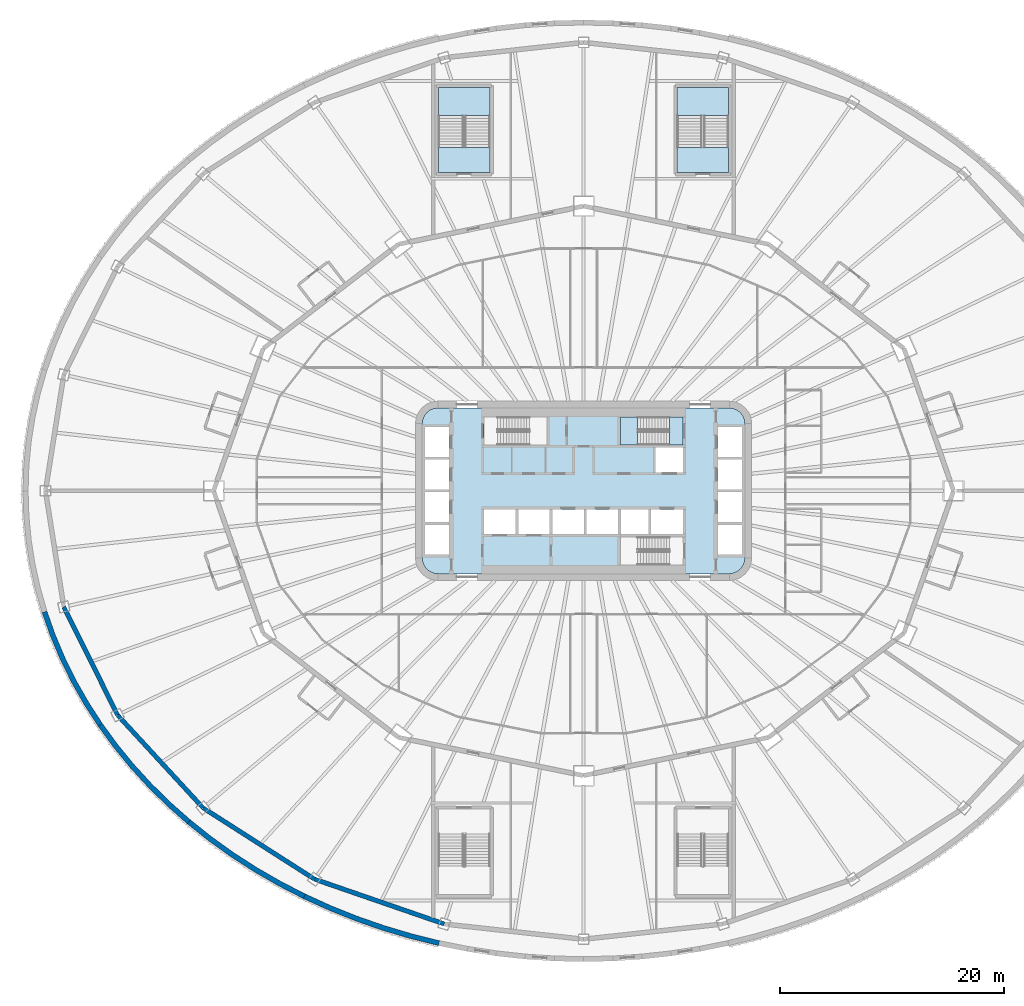
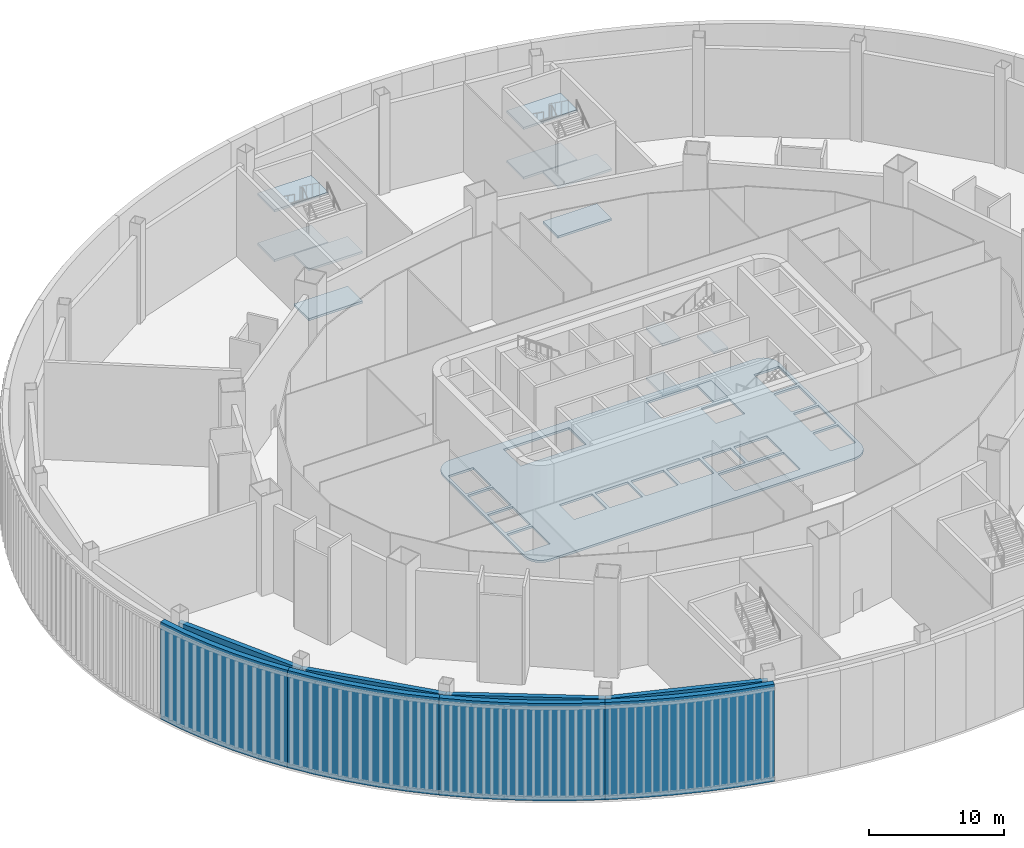
# One storey, part 5 of 35: 13 slabs, 8 walls, 3 elements without a shape of their own.
"""IFC4 building model written with IfcOpenShell, lengths in metres."""

from ifc_helpers import new_model, si_unit, direction, frame, frame_2d, origin, place, context, subcontext, project, spatial, polyline, rectangle, outline, extrude, material, layer, layer_set, type_object, element, aggregate, save


model = new_model("IFC4")

# Units and contexts
model_context = context("Model", 3, precision=1e-05, world=origin(), true_north=direction((0.0, 1.0)))
body_context = subcontext(model_context, "Body", "Model", "MODEL_VIEW")
ifc_project = project(units=[si_unit("LENGTHUNIT", "METRE"), si_unit("AREAUNIT", "SQUARE_METRE"), si_unit("VOLUMEUNIT", "CUBIC_METRE"), si_unit("PLANEANGLEUNIT", "RADIAN"), si_unit("MASSUNIT", "GRAM", prefix="KILO")], contexts=[model_context])

# Site, building, storey
site_placement = place(None, origin())
site = spatial("IfcSite", under=ifc_project, at=site_placement, CompositionType="ELEMENT")
building_placement = place(site_placement, origin())
building = spatial("IfcBuilding", under=site, at=building_placement, Name="Sahrelin Media Tower", CompositionType="ELEMENT")
storey_placement = place(building_placement, frame((0.0, 0.0, 17.0)))
storey = spatial("IfcBuildingStorey", under=building, at=storey_placement, Name="L02", CompositionType="ELEMENT", Elevation=17.0)

# Slab
ifc_material_1 = material(Name="Concrete C40/50", Category="concrete")
ifc_layer_1 = layer(ifc_material_1, 0.199951171875)
ifc_layer_set_1 = layer_set([ifc_layer_1], Name="Core floor slab 200")
slab_type_1 = type_object("IfcSlabType", Name="Core floor slab 200", PredefinedType="FLOOR", material=ifc_layer_set_1)
placement_1 = place(storey_placement, frame((0.0, 0.0, -0.199951171875)))
element("IfcSlab", 1, at=placement_1, inside=storey, type_object=slab_type_1, Name="Core floor", PredefinedType="FLOOR", context=body_context, shape_type="SweptSolid", body=[
    extrude(outline(polyline([(-13.986328125, 6.986328125), (-14.2080078125, 6.697509765625), (-14.347412109375, 6.361083984375), (-14.39990234375, 5.960693359375), (-14.39990234375, -5.960693359375), (-14.347412109375, -6.361083984375), (-14.2080078125, -6.697509765625), (-13.986328125, -6.986328125), (-13.697509765625, -7.2080078125), (-13.361083984375, -7.347412109375), (-12.960693359375, -7.39990234375), (12.960693359375, -7.39990234375), (13.361083984375, -7.347412109375), (13.697509765625, -7.2080078125), (13.986328125, -6.986328125), (14.2080078125, -6.697509765625), (14.347412109375, -6.361083984375), (14.39990234375, -5.960693359375), (14.39990234375, 5.960693359375), (14.347412109375, 6.361083984375), (14.2080078125, 6.697509765625), (13.986328125, 6.986328125), (13.697509765625, 7.2080078125), (13.361083984375, 7.347412109375), (12.960693359375, 7.39990234375), (-12.960693359375, 7.39990234375), (-13.361083984375, 7.347412109375), (-13.697509765625, 7.2080078125), (-13.986328125, 6.986328125)]), holes=[polyline([(-14.14990234375, 5.675048828125), (-14.14990234375, 3.02490234375), (-12.0, 3.02490234375), (-12.0, 5.675048828125), (-14.14990234375, 5.675048828125)]), polyline([(-12.0, 2.77490234375), (-14.14990234375, 2.77490234375), (-14.14990234375, 0.125), (-12.0, 0.125), (-12.0, 2.77490234375)]), polyline([(-12.0, -2.77490234375), (-12.0, -0.125), (-14.14990234375, -0.125), (-14.14990234375, -2.77490234375), (-12.0, -2.77490234375)]), polyline([(-14.14990234375, -5.675048828125), (-12.0, -5.675048828125), (-12.0, -3.02490234375), (-14.14990234375, -3.02490234375), (-14.14990234375, -5.675048828125)]), polyline([(12.0, 5.675048828125), (12.0, 3.02490234375), (14.14990234375, 3.02490234375), (14.14990234375, 5.675048828125), (12.0, 5.675048828125)]), polyline([(14.14990234375, 2.77490234375), (12.0, 2.77490234375), (12.0, 0.125), (14.14990234375, 0.125), (14.14990234375, 2.77490234375)]), polyline([(14.14990234375, -2.77490234375), (14.14990234375, -0.125), (12.0, -0.125), (12.0, -2.77490234375), (14.14990234375, -2.77490234375)]), polyline([(12.0, -5.675048828125), (14.14990234375, -5.675048828125), (14.14990234375, -3.02490234375), (12.0, -3.02490234375), (12.0, -5.675048828125)]), polyline([(6.425048828125, 3.85009765625), (6.425048828125, 1.64990234375), (8.875, 1.64990234375), (8.875, 3.85009765625), (6.425048828125, 3.85009765625)]), polyline([(-6.074951171875, -1.64990234375), (-8.875, -1.64990234375), (-8.875, -3.85009765625), (-6.074951171875, -3.85009765625), (-6.074951171875, -1.64990234375)]), polyline([(-3.02490234375, -3.85009765625), (-3.02490234375, -1.64990234375), (-5.824951171875, -1.64990234375), (-5.824951171875, -3.85009765625), (-3.02490234375, -3.85009765625)]), polyline([(-2.77490234375, -3.85009765625), (0.02490234375, -3.85009765625), (0.02490234375, -1.64990234375), (-2.77490234375, -1.64990234375), (-2.77490234375, -3.85009765625)]), polyline([(0.27490234375, -1.64990234375), (0.27490234375, -3.85009765625), (3.074951171875, -3.85009765625), (3.074951171875, -1.64990234375), (0.27490234375, -1.64990234375)]), polyline([(5.77490234375, -1.64990234375), (3.324951171875, -1.64990234375), (3.324951171875, -3.85009765625), (5.77490234375, -3.85009765625), (5.77490234375, -1.64990234375)]), polyline([(8.875, -3.85009765625), (8.875, -1.64990234375), (6.02490234375, -1.64990234375), (6.02490234375, -3.85009765625), (8.875, -3.85009765625)]), polyline([(-8.875, 6.60009765625), (-8.875, 4.10009765625), (-3.27490234375, 4.10009765625), (-3.27490234375, 6.60009765625), (-8.875, 6.60009765625)]), polyline([(3.27490234375, 4.10009765625), (8.875, 4.10009765625), (8.875, 6.60009765625), (3.27490234375, 6.60009765625), (3.27490234375, 4.10009765625)]), polyline([(3.27490234375, -4.10009765625), (3.27490234375, -6.60009765625), (8.875, -6.60009765625), (8.875, -4.10009765625), (3.27490234375, -4.10009765625)])]), origin(), (0.0, 0.0, 1.0), 0.199951171875),
])

# Stair, slabs
stair_type_1 = type_object("IfcStairType", Name="Exit stair 1200", PredefinedType="HALF_TURN_STAIR", material=ifc_material_1)
placement_2 = place(storey_placement, origin())
stair_1 = element("IfcStair", 2, at=placement_2, inside=storey, type_object=stair_type_1, Name="L02 Exit stair ST3", PredefinedType="HALF_TURN_STAIR")
ifc_layer_2 = layer(ifc_material_1, 0.199951171875)
ifc_layer_set_2 = layer_set([ifc_layer_2], Name="Stair landing 200")
slab_type_2 = type_object("IfcSlabType", Name="Stair landing 200", PredefinedType="LANDING", material=ifc_layer_set_2)
placement_3 = place(storey_placement, frame((0.0, 0.0, 2.050048828125)))
slab_2 = element("IfcSlab", 3, at=placement_3, type_object=slab_type_2, Name="ST3 landing 1", PredefinedType="LANDING", context=body_context, shape_type="SweptSolid", body=[
    extrude(outline(polyline([(4.81494140625, 6.60009765625), (3.27490234375, 6.60009765625), (3.27490234375, 4.10009765625), (4.81494140625, 4.10009765625), (4.81494140625, 6.60009765625)])), origin(), (0.0, 0.0, 1.0), 0.199951171875),
])
placement_4 = place(storey_placement, frame((0.0, 0.0, 4.300048828125)))
slab_3 = element("IfcSlab", 4, at=placement_4, type_object=slab_type_2, Name="ST3 landing 2", PredefinedType="LANDING", context=body_context, shape_type="SweptSolid", body=[
    extrude(outline(polyline([(8.875, 6.60009765625), (7.675048828125, 6.60009765625), (7.675048828125, 4.10009765625), (8.875, 4.10009765625), (8.875, 6.60009765625)])), origin(), (0.0, 0.0, 1.0), 0.199951171875),
])
placement_5 = place(storey_placement, frame((0.0, 0.0, 6.550048828125)))
slab_4 = element("IfcSlab", 5, at=placement_5, type_object=slab_type_2, Name="ST3 landing 3", PredefinedType="LANDING", context=body_context, shape_type="SweptSolid", body=[
    extrude(outline(polyline([(4.81494140625, 6.60009765625), (3.27490234375, 6.60009765625), (3.27490234375, 4.10009765625), (4.81494140625, 4.10009765625), (4.81494140625, 6.60009765625)])), origin(), (0.0, 0.0, 1.0), 0.199951171875),
])
slab_5 = element("IfcSlab", 6, at=placement_1, type_object=slab_type_2, Name="ST3 landing 4", PredefinedType="LANDING", context=body_context, shape_type="SweptSolid", body=[
    extrude(outline(polyline([(8.875, 6.60009765625), (7.675048828125, 6.60009765625), (7.675048828125, 4.10009765625), (8.875, 4.10009765625), (8.875, 6.60009765625)])), origin(), (0.0, 0.0, 1.0), 0.199951171875),
])
aggregate(stair_1, [slab_2, slab_3, slab_4, slab_5])

stair_type_2 = type_object("IfcStairType", Name="Podium stair 2225", PredefinedType="HALF_TURN_STAIR", material=ifc_material_1)
stair_2 = element("IfcStair", 7, at=placement_2, inside=storey, type_object=stair_type_2, Name="L02 Podium stair PS1", PredefinedType="HALF_TURN_STAIR")
slab_6 = element("IfcSlab", 8, at=placement_3, type_object=slab_type_2, Name="PS1 landing 1", PredefinedType="LANDING", context=body_context, shape_type="SweptSolid", body=[
    extrude(outline(polyline([(12.949951171875, 33.485107421875), (12.949951171875, 36.0), (8.35009765625, 36.0), (8.35009765625, 33.485107421875), (12.949951171875, 33.485107421875)])), origin(), (0.0, 0.0, 1.0), 0.199951171875),
])
slab_7 = element("IfcSlab", 9, at=placement_4, type_object=slab_type_2, Name="PS1 landing 2", PredefinedType="LANDING", context=body_context, shape_type="SweptSolid", body=[
    extrude(outline(polyline([(12.949951171875, 28.39990234375), (12.949951171875, 30.625), (8.35009765625, 30.625), (8.35009765625, 28.39990234375), (12.949951171875, 28.39990234375)])), origin(), (0.0, 0.0, 1.0), 0.199951171875),
])
slab_8 = element("IfcSlab", 10, at=placement_5, type_object=slab_type_2, Name="PS1 landing 3", PredefinedType="LANDING", context=body_context, shape_type="SweptSolid", body=[
    extrude(outline(polyline([(12.949951171875, 33.485107421875), (12.949951171875, 36.0), (8.35009765625, 36.0), (8.35009765625, 33.485107421875), (12.949951171875, 33.485107421875)])), origin(), (0.0, 0.0, 1.0), 0.199951171875),
])
slab_9 = element("IfcSlab", 11, at=placement_1, type_object=slab_type_2, Name="PS1 landing 4", PredefinedType="LANDING", context=body_context, shape_type="SweptSolid", body=[
    extrude(outline(polyline([(12.949951171875, 28.39990234375), (12.949951171875, 30.625), (8.35009765625, 30.625), (8.35009765625, 28.39990234375), (12.949951171875, 28.39990234375)])), origin(), (0.0, 0.0, 1.0), 0.199951171875),
])
aggregate(stair_2, [slab_6, slab_7, slab_8, slab_9])

stair_3 = element("IfcStair", 12, at=placement_2, inside=storey, type_object=stair_type_2, Name="L02 Podium stair PS2", PredefinedType="HALF_TURN_STAIR")
slab_10 = element("IfcSlab", 13, at=placement_3, type_object=slab_type_2, Name="PS2 landing 1", PredefinedType="LANDING", context=body_context, shape_type="SweptSolid", body=[
    extrude(outline(polyline([(-8.35009765625, 33.485107421875), (-8.35009765625, 36.0), (-12.949951171875, 36.0), (-12.949951171875, 33.485107421875), (-8.35009765625, 33.485107421875)])), origin(), (0.0, 0.0, 1.0), 0.199951171875),
])
slab_11 = element("IfcSlab", 14, at=placement_4, type_object=slab_type_2, Name="PS2 landing 2", PredefinedType="LANDING", context=body_context, shape_type="SweptSolid", body=[
    extrude(outline(polyline([(-8.35009765625, 28.39990234375), (-8.35009765625, 30.625), (-12.949951171875, 30.625), (-12.949951171875, 28.39990234375), (-8.35009765625, 28.39990234375)])), origin(), (0.0, 0.0, 1.0), 0.199951171875),
])
slab_12 = element("IfcSlab", 15, at=placement_5, type_object=slab_type_2, Name="PS2 landing 3", PredefinedType="LANDING", context=body_context, shape_type="SweptSolid", body=[
    extrude(outline(polyline([(-8.35009765625, 33.485107421875), (-8.35009765625, 36.0), (-12.949951171875, 36.0), (-12.949951171875, 33.485107421875), (-8.35009765625, 33.485107421875)])), origin(), (0.0, 0.0, 1.0), 0.199951171875),
])
slab_13 = element("IfcSlab", 16, at=placement_1, type_object=slab_type_2, Name="PS2 landing 4", PredefinedType="LANDING", context=body_context, shape_type="SweptSolid", body=[
    extrude(outline(polyline([(-8.35009765625, 28.39990234375), (-8.35009765625, 30.625), (-12.949951171875, 30.625), (-12.949951171875, 28.39990234375), (-8.35009765625, 28.39990234375)])), origin(), (0.0, 0.0, 1.0), 0.199951171875),
])
aggregate(stair_3, [slab_10, slab_11, slab_12, slab_13])

# Walls
ifc_material_2 = material(Name="Fire-rated gypsum board partition")
ifc_layer_3 = layer(ifc_material_2, 0.39990234375)
ifc_layer_set_3 = layer_set([ifc_layer_3], Name="Fire-rated partition 400")
wall_type_1 = type_object("IfcWallType", Name="Fire-rated partition 400", PredefinedType="PARTITIONING", material=ifc_layer_set_3)
wall_1_placement = place(storey_placement, frame((-46.364501953125, -10.352783203125, 0.0), z_axis=(0.0, 0.0, 1.0), x_axis=(0.445118441463, -0.895471704226, 0.0)))
element("IfcWall", 17, at=wall_1_placement, inside=storey, type_object=wall_type_1, Name="Wall", PredefinedType="PARTITIONING", context=body_context, shape_type="SweptSolid", body=[
    extrude(rectangle(XDim=10.7734375, YDim=0.39990234375, at=frame_2d((5.38671875, 0.0))), origin(), (0.0, 0.0, 1.0), 7.876953125),
])
wall_2_placement = place(storey_placement, frame((-41.569091796875, -20.0, 0.0), z_axis=(0.0, 0.0, 1.0), x_axis=(0.67736833065, -0.735644033914, 0.0)))
element("IfcWall", 18, at=wall_2_placement, inside=storey, type_object=wall_type_1, Name="Wall", PredefinedType="PARTITIONING", context=body_context, shape_type="SweptSolid", body=[
    extrude(rectangle(XDim=11.26123046875, YDim=0.39990234375, at=frame_2d((5.630615234375, 0.0))), origin(), (0.0, 0.0, 1.0), 7.876953125),
])
wall_3_placement = place(storey_placement, frame((-33.941162109375, -28.2841796875, 0.0), z_axis=(0.0, 0.0, 1.0), x_axis=(0.842479506869, -0.538728392147, 0.0)))
element("IfcWall", 19, at=wall_3_placement, inside=storey, type_object=wall_type_1, Name="Wall", PredefinedType="PARTITIONING", context=body_context, shape_type="SweptSolid", body=[
    extrude(rectangle(XDim=11.7998046875, YDim=0.39990234375, at=frame_2d((5.89990234375, 0.0))), origin(), (0.0, 0.0, 1.0), 7.876953125),
])
wall_4_placement = place(storey_placement, frame((-24.0, -34.64111328125, 0.0), z_axis=(0.0, 0.0, 1.0), x_axis=(0.94527485301, -0.326275117449, 0.0)))
element("IfcWall", 20, at=wall_4_placement, inside=storey, type_object=wall_type_1, Name="Wall", PredefinedType="PARTITIONING", context=body_context, shape_type="SweptSolid", body=[
    extrude(rectangle(XDim=12.246826171875, YDim=0.39990234375, at=frame_2d((6.12353515625, 0.0))), origin(), (0.0, 0.0, 1.0), 7.876953125),
])
ifc_layer_4 = layer(ifc_material_1, 0.449951171875)
ifc_layer_set_4 = layer_set([ifc_layer_4], Name="Studio facade wall")
wall_type_2 = type_object("IfcWallType", Name="Studio facade wall", PredefinedType="SOLIDWALL", material=ifc_layer_set_4)
element("IfcWall", 21, at=placement_2, inside=storey, type_object=wall_type_2, Name="Studio facade wall L02-P13", PredefinedType="SOLIDWALL", context=body_context, shape_type="SweptSolid", body=[
    extrude(outline(polyline([(-48.29638671875, -10.870361328125), (-47.552734375, -12.978759765625), (-46.678955078125, -15.051513671875), (-45.67724609375, -17.0830078125), (-44.55029296875, -19.067626953125), (-43.30126953125, -21.0), (-42.930419921875, -20.7451171875), (-44.16552734375, -18.834228515625), (-45.27978515625, -16.872314453125), (-46.269775390625, -14.864501953125), (-47.133056640625, -12.81640625), (-47.86767578125, -10.733642578125), (-48.29638671875, -10.870361328125)])), origin(), (0.0, 0.0, 1.0), 8.800048828125),
])
element("IfcWall", 22, at=placement_2, inside=storey, type_object=wall_type_2, Name="Studio facade wall L02-P14", PredefinedType="SOLIDWALL", context=body_context, shape_type="SweptSolid", body=[
    extrude(outline(polyline([(-43.30126953125, -21.0), (-41.93359375, -22.874755859375), (-40.45068359375, -24.68701171875), (-38.857421875, -26.431396484375), (-37.1572265625, -28.103515625), (-35.355224609375, -29.698486328125), (-35.06591796875, -29.35400390625), (-36.85009765625, -27.7744140625), (-38.533203125, -26.119140625), (-40.1103515625, -24.392578125), (-41.577392578125, -22.599609375), (-42.930419921875, -20.7451171875), (-43.30126953125, -21.0)])), origin(), (0.0, 0.0, 1.0), 8.800048828125),
])
element("IfcWall", 23, at=placement_2, inside=storey, type_object=wall_type_2, Name="Studio facade wall L02-P15", PredefinedType="SOLIDWALL", context=body_context, shape_type="SweptSolid", body=[
    extrude(outline(polyline([(-35.355224609375, -29.698486328125), (-33.45654296875, -31.212158203125), (-31.466064453125, -32.64013671875), (-29.389404296875, -33.978759765625), (-27.23193359375, -35.22412109375), (-25.0, -36.373046875), (-24.8037109375, -35.96826171875), (-27.0166015625, -34.8291015625), (-29.15478515625, -33.594482421875), (-31.212890625, -32.26806640625), (-33.18505859375, -30.853271484375), (-35.06591796875, -29.35400390625), (-35.355224609375, -29.698486328125)])), origin(), (0.0, 0.0, 1.0), 8.800048828125),
])
element("IfcWall", 24, at=placement_2, inside=storey, type_object=wall_type_2, Name="Studio facade wall L02-P16", PredefinedType="SOLIDWALL", context=body_context, shape_type="SweptSolid", body=[
    extrude(outline(polyline([(-25.0, -36.373046875), (-22.699462890625, -37.42236328125), (-20.3369140625, -38.368896484375), (-17.91845703125, -39.21044921875), (-15.45068359375, -39.9443359375), (-12.94091796875, -40.56884765625), (-12.84228515625, -40.1298828125), (-15.332275390625, -39.51025390625), (-17.7802734375, -38.781982421875), (-20.17919921875, -37.947509765625), (-22.5224609375, -37.008544921875), (-24.8037109375, -35.96826171875), (-25.0, -36.373046875)])), origin(), (0.0, 0.0, 1.0), 8.800048828125),
])

save(model, "model.ifc")
